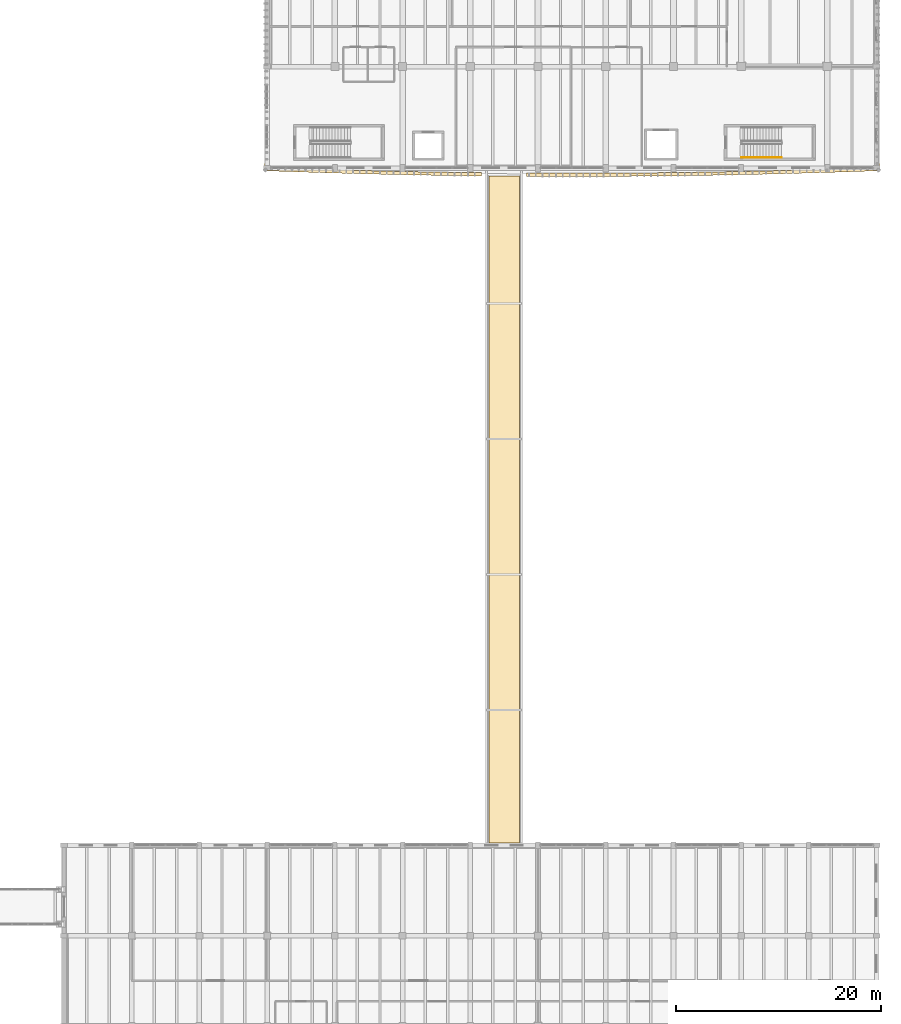
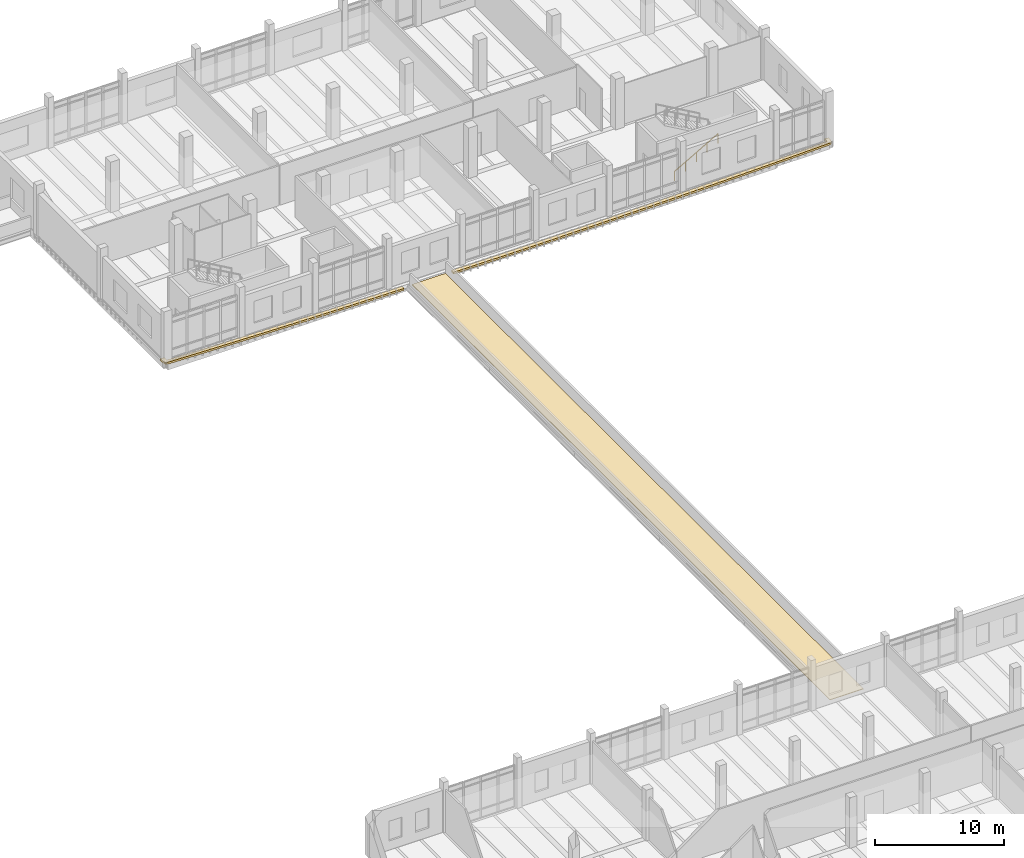
# One storey, part 92 of 101: 3 coverings, 1 railing.
"""IFC4 building model written with IfcOpenShell, lengths in metres."""

from ifc_helpers import new_model, si_unit, direction, frame, origin, origin_2d, place, context, subcontext, project, spatial, polyline, circle, outline, extrude, material, layer, layer_set, type_object, element, save


model = new_model("IFC4")

# Units and contexts
model_context = context("Model", 3, precision=1e-05, world=origin(), true_north=direction((0.0, 1.0)))
body_context = subcontext(model_context, "Body", "Model", "MODEL_VIEW")
ifc_project = project(units=[si_unit("LENGTHUNIT", "METRE"), si_unit("AREAUNIT", "SQUARE_METRE"), si_unit("VOLUMEUNIT", "CUBIC_METRE"), si_unit("PLANEANGLEUNIT", "RADIAN"), si_unit("MASSUNIT", "GRAM", prefix="KILO")], contexts=[model_context])

# Site, building, storey
site_placement = place(None, origin())
site = spatial("IfcSite", under=ifc_project, at=site_placement, CompositionType="ELEMENT")
building_placement = place(site_placement, origin())
building = spatial("IfcBuilding", under=site, at=building_placement, Name="Dornvale Research Institute", CompositionType="ELEMENT")
storey_placement = place(building_placement, frame((0.0, 0.0, 10.199951171875)))
storey = spatial("IfcBuildingStorey", under=building, at=storey_placement, Name="L02", CompositionType="ELEMENT", Elevation=10.199951171875)

# Coverings
ifc_material_1 = material(Name="TPO High-Reflectance Cool Roof Membrane and Rigid Insulation")
ifc_layer_1 = layer(ifc_material_1, 0.06005859375)
ifc_layer_set_1 = layer_set([ifc_layer_1], Name="TPO High-Reflectance Cool Roof Membrane and Rigid Insulation")
covering_type_1 = type_object("IfcCoveringType", Name="Covering_CoolRoof_Membrane", PredefinedType="ROOFING", material=ifc_layer_set_1)
covering_1_placement = place(storey_placement, origin())
element("IfcCovering", 1, at=covering_1_placement, inside=storey, type_object=covering_type_1, Name="L02 link bridge BR-7 cool roof membrane", PredefinedType="ROOFING", context=body_context, shape_type="SweptSolid", body=[
    extrude(outline(polyline([(140.39990234375, 26.639892578125), (143.39990234375, 26.639892578125), (143.39990234375, 91.6201171875), (140.39990234375, 91.6201171875), (140.39990234375, 26.639892578125)])), origin(), (0.0, 0.0, 1.0), 0.06005859375),
])
ifc_material_2 = material(Name="Polychrome Glazed Terracotta Visor Rib Ceramic", Category="masonry")
ifc_layer_2 = layer(ifc_material_2, 0.179931640625)
ifc_layer_set_2 = layer_set([ifc_layer_2], Name="Polychrome Glazed Terracotta Visor Rib Ceramic")
covering_type_2 = type_object("IfcCoveringType", Name="Covering_VisorBrim_LowShelf", PredefinedType="CLADDING", material=ifc_layer_set_2)
covering_2_placement = place(storey_placement, frame((0.0, 0.0, -0.260009765625)))
element("IfcCovering", 2, at=covering_2_placement, inside=storey, type_object=covering_type_2, Name="L02 V4 canted bowed-brim visor hood #46", PredefinedType="CLADDING", context=body_context, shape_type="SweptSolid", body=[
    extrude(outline(polyline([(178.459228515625, 92.39990234375), (178.4404296875, 92.302978515625), (178.386474609375, 92.219970703125), (178.3056640625, 92.163330078125), (178.209228515625, 92.14111328125), (176.559326171875, 92.08154296875), (176.558837890625, 92.08154296875), (174.90869140625, 92.025390625), (174.908203125, 92.025390625), (173.25830078125, 91.972900390625), (173.2578125, 91.972900390625), (171.607666015625, 91.923583984375), (171.607177734375, 91.923583984375), (169.957275390625, 91.877685546875), (169.956787109375, 91.877685546875), (168.306640625, 91.835205078125), (168.30615234375, 91.835205078125), (166.656005859375, 91.79638671875), (166.655517578125, 91.79638671875), (165.005615234375, 91.7607421875), (165.005126953125, 91.760498046875), (163.35498046875, 91.728271484375), (163.3544921875, 91.728271484375), (161.70458984375, 91.699462890625), (161.7041015625, 91.699462890625), (160.053955078125, 91.674072265625), (160.053466796875, 91.674072265625), (158.403564453125, 91.65185546875), (158.40283203125, 91.65185546875), (156.7529296875, 91.63330078125), (156.75244140625, 91.63330078125), (155.102294921875, 91.617919921875), (155.101806640625, 91.617919921875), (153.451904296875, 91.606201171875), (153.451416015625, 91.606201171875), (151.80126953125, 91.59765625), (151.80078125, 91.59765625), (150.15087890625, 91.592529296875), (150.150390625, 91.592529296875), (148.500244140625, 91.5908203125), (148.499755859375, 91.5908203125), (146.849609375, 91.592529296875), (146.84912109375, 91.592529296875), (145.19921875, 91.59765625), (145.19873046875, 91.59765625), (144.10009765625, 91.603271484375), (144.10009765625, 91.922607421875), (145.2001953125, 91.916748046875), (146.85009765625, 91.91162109375), (148.5, 91.909912109375), (150.14990234375, 91.91162109375), (151.7998046875, 91.916748046875), (153.44970703125, 91.92529296875), (155.099609375, 91.937255859375), (156.74951171875, 91.952392578125), (158.3994140625, 91.97119140625), (160.049072265625, 91.9931640625), (161.698974609375, 92.0185546875), (163.348876953125, 92.047607421875), (164.998779296875, 92.079833984375), (166.648681640625, 92.115478515625), (168.298583984375, 92.154296875), (169.948486328125, 92.197021484375), (171.598388671875, 92.24267578125), (173.248046875, 92.2919921875), (174.89794921875, 92.344482421875), (176.5478515625, 92.400634765625), (178.139892578125, 92.4580078125), (178.139892578125, 92.85009765625), (178.459228515625, 92.85009765625), (178.459228515625, 92.39990234375)])), origin(), (0.0, 0.0, 1.0), 0.18017578125),
])
covering_3_placement = place(storey_placement, frame((0.0, 0.0, -0.260009765625)))
element("IfcCovering", 3, at=covering_3_placement, inside=storey, type_object=covering_type_2, Name="L02 V4 canted bowed-brim visor hood #47", PredefinedType="CLADDING", context=body_context, shape_type="SweptSolid", body=[
    extrude(outline(polyline([(138.596435546875, 91.65185546875), (136.946533203125, 91.674072265625), (136.946044921875, 91.674072265625), (135.2958984375, 91.699462890625), (135.29541015625, 91.699462890625), (133.6455078125, 91.728271484375), (133.64501953125, 91.728271484375), (131.994873046875, 91.760498046875), (131.994384765625, 91.7607421875), (130.344482421875, 91.79638671875), (130.343994140625, 91.79638671875), (128.69384765625, 91.835205078125), (128.693359375, 91.835205078125), (127.043212890625, 91.877685546875), (127.042724609375, 91.877685546875), (125.392822265625, 91.923583984375), (125.392333984375, 91.923583984375), (123.7421875, 91.972900390625), (123.74169921875, 91.972900390625), (122.091796875, 92.025390625), (122.09130859375, 92.025390625), (120.441162109375, 92.08154296875), (120.440673828125, 92.08154296875), (118.790771484375, 92.14111328125), (118.6943359375, 92.163330078125), (118.613525390625, 92.219970703125), (118.5595703125, 92.302978515625), (118.540771484375, 92.39990234375), (118.540771484375, 92.85009765625), (118.860107421875, 92.85009765625), (118.860107421875, 92.4580078125), (120.4521484375, 92.400634765625), (122.10205078125, 92.344482421875), (123.751953125, 92.2919921875), (125.401611328125, 92.24267578125), (127.051513671875, 92.197021484375), (128.701416015625, 92.154296875), (130.351318359375, 92.115478515625), (132.001220703125, 92.079833984375), (133.651123046875, 92.047607421875), (135.301025390625, 92.0185546875), (136.950927734375, 91.9931640625), (138.6005859375, 91.97119140625), (139.699951171875, 91.95849609375), (139.699951171875, 91.639404296875), (138.59716796875, 91.65185546875), (138.596435546875, 91.65185546875)])), origin(), (0.0, 0.0, 1.0), 0.18017578125),
])

# Railing
ifc_material_3 = material(Name="Galvanized Painted Tubular Steel Stair Rail", Category="steel")
ifc_layer_3 = layer(ifc_material_3, 0.044921875)
ifc_layer_set_3 = layer_set([ifc_layer_3], Name="Galvanized Painted Tubular Steel Stair Rail")
railing_type = type_object("IfcRailingType", Name="Railing_Stair_Handrail_900", PredefinedType="HANDRAIL", material=ifc_layer_set_3)
railing_placement = place(storey_placement, frame((165.02001953125, 93.449951171875, 0.17138671875)))
element("IfcRailing", 4, at=railing_placement, inside=storey, type_object=railing_type, Name="L02 ST-4 stair handrail 1", PredefinedType="HANDRAIL", context=body_context, shape_type="SweptSolid", body=[
    extrude(circle(Radius=0.02392578125, at=origin_2d()), frame((0.0, 0.0, 0.8759765625), z_axis=(0.868219727965, 0.0, 0.496179910892), x_axis=(0.0, 1.0, 0.0)), (0.0, 0.0, 1.0), 4.491943359375),
    extrude(circle(Radius=0.02099609375, at=origin_2d()), origin(), (0.0, 0.0, 1.0), 0.851806640625),
    extrude(circle(Radius=0.02099609375, at=origin_2d()), frame((0.97509765625, 0.0, 0.55712890625)), (0.0, 0.0, 1.0), 0.851806640625),
    extrude(circle(Radius=0.02099609375, at=origin_2d()), frame((1.949951171875, 0.0, 1.1142578125)), (0.0, 0.0, 1.0), 0.851806640625),
    extrude(circle(Radius=0.02099609375, at=origin_2d()), frame((2.9248046875, 0.0, 1.671630859375)), (0.0, 0.0, 1.0), 0.851806640625),
    extrude(circle(Radius=0.02099609375, at=origin_2d()), frame((3.89990234375, 0.0, 2.228759765625)), (0.0, 0.0, 1.0), 0.851806640625),
])

save(model, "model.ifc")
